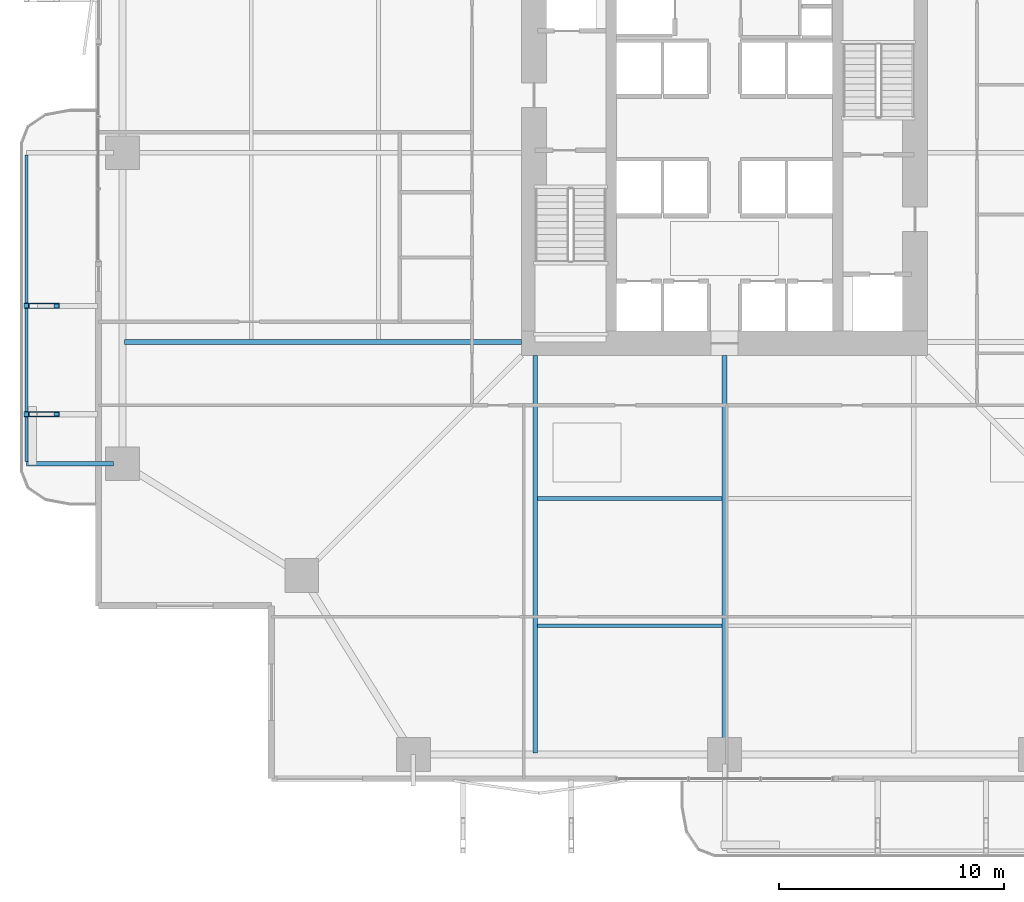
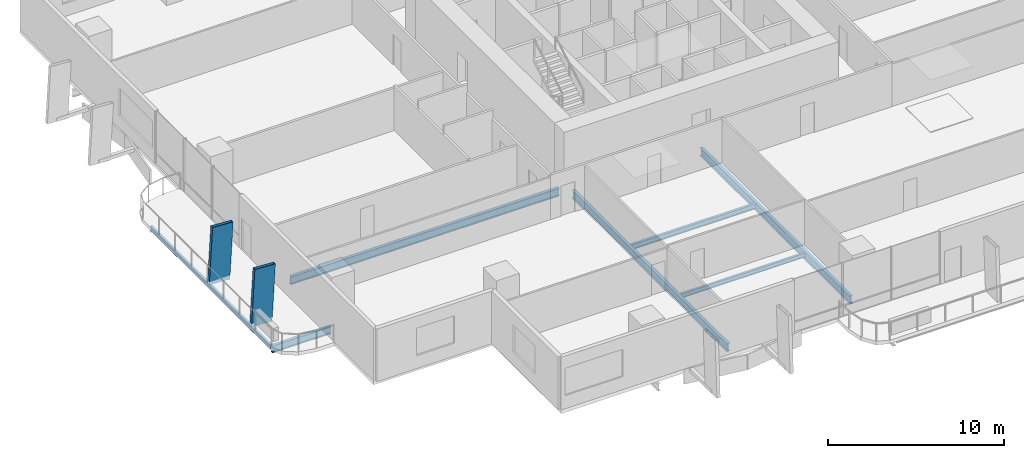
# One storey, part 3 of 24: 7 beams, 2 members.
"""IFC4 building model written with IfcOpenShell, lengths in metres."""

from ifc_helpers import new_model, si_unit, direction, frame, origin, origin_2d, place, context, subcontext, project, spatial, hollow_rectangle, i_section, extrude, material, material_profile, profile_set, type_object, element, save


model = new_model("IFC4")

# Units and contexts
model_context = context("Model", 3, precision=1e-05, world=origin(), true_north=direction((0.0, 1.0)))
body_context = subcontext(model_context, "Body", "Model", "MODEL_VIEW")
ifc_project = project(units=[si_unit("LENGTHUNIT", "METRE"), si_unit("AREAUNIT", "SQUARE_METRE"), si_unit("VOLUMEUNIT", "CUBIC_METRE"), si_unit("PLANEANGLEUNIT", "RADIAN"), si_unit("MASSUNIT", "GRAM", prefix="KILO")], contexts=[model_context])

# Site, building, storey
site_placement = place(None, origin())
site = spatial("IfcSite", under=ifc_project, at=site_placement, CompositionType="ELEMENT")
building_placement = place(site_placement, origin())
building = spatial("IfcBuilding", under=site, at=building_placement, Name="Belovzor Exchange Tower", CompositionType="ELEMENT")
storey_placement = place(building_placement, frame((0.0, 0.0, 49.5)))
storey = spatial("IfcBuildingStorey", under=building, at=storey_placement, Name="L11", CompositionType="ELEMENT", Elevation=49.5)

# Members
ifc_material_1 = material(Name="Extruded Architectural Terracotta on Steel S355 Carrier", Category="masonry")
ifc_material_profile_1 = material_profile(ifc_material_1, hollow_rectangle(XDim=0.219970703125, YDim=1.35009765625, WallThickness=0.013916015625, at=origin_2d()))
ifc_profile_set_1 = profile_set([ifc_material_profile_1], Name="Extruded Architectural Terracotta on Steel S355 Carrier")
member_type = type_object("IfcMemberType", Name="Base Arc Sweeping Terracotta Pylon Fin 1450", PredefinedType="USERDEFINED", material=ifc_profile_set_1)
for number, where, z_axis, x_axis, name in (
    (1, (-1.597900390625, 17.199951171875, -0.25), (0.056065425443, 0.0, 0.998427097023), (0.0, 1.0, 0.0), "FIN-TC145 Terracotta Facade Fin L11 W1"),
    (2, (-1.597900390625, 22.0, -0.25), (0.056065425443, 0.0, 0.998427097023), (0.0, 1.0, 0.0), "FIN-TC145 Terracotta Facade Fin L11 W2"),
):
    element("IfcMember", number, at=place(storey_placement, frame(where, z_axis=z_axis, x_axis=x_axis)), inside=storey, type_object=member_type, Name=name, ObjectType="FIN", PredefinedType="USERDEFINED", context=body_context, shape_type="SweptSolid", body=[
        extrude(hollow_rectangle(XDim=0.219970703125, YDim=1.35009765625, WallThickness=0.013916015625, at=origin_2d()), origin(), (0.0, 0.0, 1.0), 3.906005859375),
    ])

# Beams
ifc_material_2 = material(Name="Steel S355", Category="steel")
ifc_material_profile_2 = material_profile(ifc_material_2, i_section(OverallWidth=0.199951171875, OverallDepth=0.5, WebThickness=0.01025390625, FlangeThickness=0.01611328125, at=origin_2d()))
ifc_profile_set_2 = profile_set([ifc_material_profile_2], Name="Steel S355")
beam_type_1 = type_object("IfcBeamType", Name="Planted Balcony Cantilever Beam IPE 500", PredefinedType="BEAM", material=ifc_profile_set_2)
beam_1_placement = place(storey_placement, frame((1.68798828125, 15.0, -0.5), z_axis=(-1.0, 0.0, 0.0), x_axis=(0.0, -1.0, 0.0)))
element("IfcBeam", 3, at=beam_1_placement, inside=storey, type_object=beam_type_1, Name="BC-500 Planted Balcony Cantilever Beam IPE 500", PredefinedType="BEAM", context=body_context, shape_type="SweptSolid", body=[
    extrude(i_section(OverallWidth=0.199951171875, OverallDepth=0.5, WebThickness=0.01025390625, FlangeThickness=0.01611328125, at=origin_2d()), origin(), (0.0, 0.0, 1.0), 3.85009765625),
])
ifc_material_3 = material(Name="Steel S355", Category="steel")
ifc_material_profile_3 = material_profile(ifc_material_3, i_section(OverallWidth=0.14990234375, OverallDepth=0.300048828125, WebThickness=0.007080078125, FlangeThickness=0.0107421875, at=origin_2d()))
ifc_profile_set_3 = profile_set([ifc_material_profile_3], Name="Steel S355")
beam_type_2 = type_object("IfcBeamType", Name="Planted Balcony Fascia Edge Beam IPE 300", PredefinedType="BEAM", material=ifc_profile_set_3)
beam_2_placement = place(storey_placement, frame((-2.162109375, 28.699951171875, -0.39990234375), z_axis=(0.0, -1.0, 0.0), x_axis=(1.0, 0.0, 0.0)))
element("IfcBeam", 4, at=beam_2_placement, inside=storey, type_object=beam_type_2, Name="BC-300 Planted Balcony Fascia Edge Beam IPE 300", PredefinedType="BEAM", context=body_context, shape_type="SweptSolid", body=[
    extrude(i_section(OverallWidth=0.14990234375, OverallDepth=0.300048828125, WebThickness=0.007080078125, FlangeThickness=0.0107421875, at=origin_2d()), origin(), (0.0, 0.0, 1.0), 13.599853515625),
])
ifc_material_4 = material(Name="Steel S355", Category="steel")
ifc_material_profile_4 = material_profile(ifc_material_4, i_section(OverallWidth=0.169921875, OverallDepth=0.360107421875, WebThickness=0.008056640625, FlangeThickness=0.0126953125, at=origin_2d()))
ifc_profile_set_4 = profile_set([ifc_material_profile_4], Name="Steel S355")
beam_type_3 = type_object("IfcBeamType", Name="Secondary Infill Floor Joist IPE 360", PredefinedType="BEAM", material=ifc_profile_set_4)
beam_3_placement = place(storey_placement, frame((20.5048828125, 13.455078125, -0.429931640625), z_axis=(1.0, 0.0, 0.0), x_axis=(0.0, 1.0, 0.0)))
element("IfcBeam", 5, at=beam_3_placement, inside=storey, type_object=beam_type_3, Name="FJ-360 Secondary Infill Floor Joist IPE 360", PredefinedType="BEAM", context=body_context, shape_type="SweptSolid", body=[
    extrude(i_section(OverallWidth=0.169921875, OverallDepth=0.360107421875, WebThickness=0.008056640625, FlangeThickness=0.0126953125, at=origin_2d()), origin(), (0.0, 0.0, 1.0), 8.190185546875),
])
ifc_material_5 = material(Name="Steel S355", Category="steel")
ifc_material_profile_5 = material_profile(ifc_material_5, i_section(OverallWidth=0.14990234375, OverallDepth=0.300048828125, WebThickness=0.007080078125, FlangeThickness=0.0107421875, at=origin_2d()))
ifc_profile_set_5 = profile_set([ifc_material_profile_5], Name="Steel S355")
beam_type_4 = type_object("IfcBeamType", Name="Secondary Trim Floor Joist IPE 300", PredefinedType="BEAM", material=ifc_profile_set_5)
beam_4_placement = place(storey_placement, frame((20.5048828125, 7.81494140625, -0.39990234375), z_axis=(1.0, 0.0, 0.0), x_axis=(0.0, 1.0, 0.0)))
element("IfcBeam", 6, at=beam_4_placement, inside=storey, type_object=beam_type_4, Name="FJ-300 Secondary Trim Floor Joist IPE 300", PredefinedType="BEAM", context=body_context, shape_type="SweptSolid", body=[
    extrude(i_section(OverallWidth=0.14990234375, OverallDepth=0.300048828125, WebThickness=0.007080078125, FlangeThickness=0.0107421875, at=origin_2d()), origin(), (0.0, 0.0, 1.0), 8.190185546875),
])
ifc_material_6 = material(Name="Steel S355", Category="steel")
ifc_material_profile_6 = material_profile(ifc_material_6, i_section(OverallWidth=0.2099609375, OverallDepth=0.550048828125, WebThickness=0.010986328125, FlangeThickness=0.01708984375, at=origin_2d()))
ifc_profile_set_6 = profile_set([ifc_material_profile_6], Name="Steel S355")
beam_type_5 = type_object("IfcBeamType", Name="Zone 1 Radial Composite Floor Beam IPE 550", PredefinedType="BEAM", material=ifc_profile_set_6)
beam_5_placement = place(storey_placement, frame((20.39990234375, 19.800048828125, -0.52490234375), z_axis=(0.0, -1.0, 0.0), x_axis=(1.0, 0.0, 0.0)))
element("IfcBeam", 7, at=beam_5_placement, inside=storey, type_object=beam_type_5, Name="FB-550 Zone 1 Radial Composite Floor Beam IPE 550", PredefinedType="BEAM", context=body_context, shape_type="SweptSolid", body=[
    extrude(i_section(OverallWidth=0.2099609375, OverallDepth=0.550048828125, WebThickness=0.010986328125, FlangeThickness=0.01708984375, at=origin_2d()), origin(), (0.0, 0.0, 1.0), 17.625),
])
beam_6_placement = place(storey_placement, frame((28.800048828125, 19.800048828125, -0.52490234375), z_axis=(0.0, -1.0, 0.0), x_axis=(1.0, 0.0, 0.0)))
element("IfcBeam", 8, at=beam_6_placement, inside=storey, type_object=beam_type_5, Name="FB-550 Zone 1 Radial Composite Floor Beam IPE 550", PredefinedType="BEAM", context=body_context, shape_type="SweptSolid", body=[
    extrude(i_section(OverallWidth=0.2099609375, OverallDepth=0.550048828125, WebThickness=0.010986328125, FlangeThickness=0.01708984375, at=origin_2d()), origin(), (0.0, 0.0, 1.0), 17.0400390625),
])
beam_7_placement = place(storey_placement, frame((19.800048828125, 20.39990234375, -0.52490234375), z_axis=(-1.0, 0.0, 0.0), x_axis=(0.0, -1.0, 0.0)))
element("IfcBeam", 9, at=beam_7_placement, inside=storey, type_object=beam_type_5, Name="FB-550 Zone 1 Radial Composite Floor Beam IPE 550", PredefinedType="BEAM", context=body_context, shape_type="SweptSolid", body=[
    extrude(i_section(OverallWidth=0.2099609375, OverallDepth=0.550048828125, WebThickness=0.010986328125, FlangeThickness=0.01708984375, at=origin_2d()), origin(), (0.0, 0.0, 1.0), 17.625),
])

save(model, "model.ifc")
